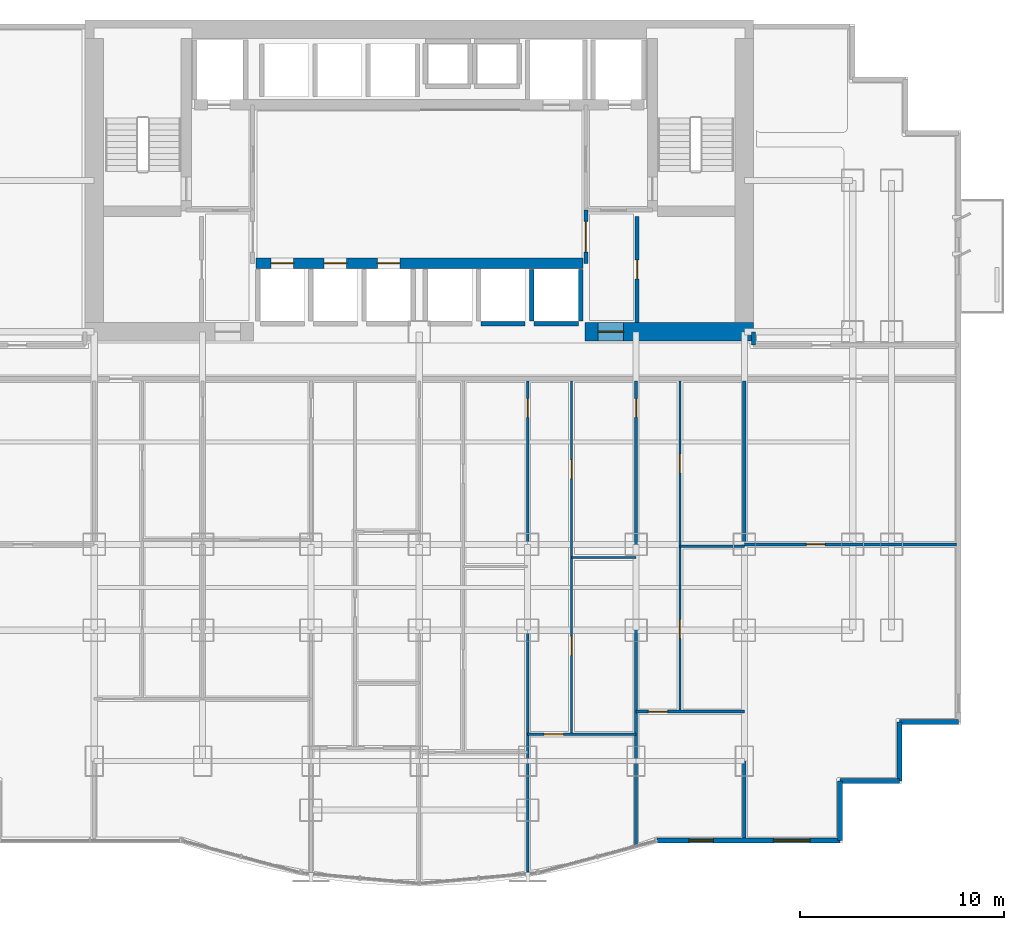
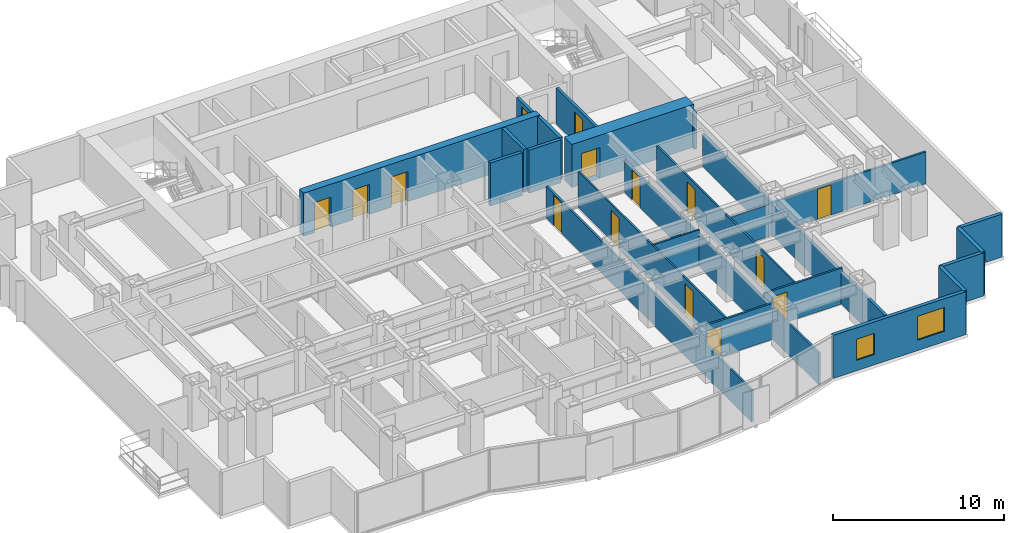
# One storey, part 6 of 10: 24 walls, 15 doors, 2 windows, 17 openings.
"""IFC4 building model written with IfcOpenShell, lengths in metres."""

from ifc_helpers import new_model, si_unit, direction, frame, frame_2d, origin, place, context, subcontext, project, spatial, rectangle, extrude, material, layer, layer_set, type_object, element, fill, save


model = new_model("IFC4")

# Units and contexts
model_context = context("Model", 3, precision=1e-05, world=origin(), true_north=direction((0.0, 1.0)))
body_context = subcontext(model_context, "Body", "Model", "MODEL_VIEW")
ifc_project = project(units=[si_unit("LENGTHUNIT", "METRE"), si_unit("AREAUNIT", "SQUARE_METRE"), si_unit("VOLUMEUNIT", "CUBIC_METRE"), si_unit("PLANEANGLEUNIT", "RADIAN"), si_unit("MASSUNIT", "GRAM", prefix="KILO")], contexts=[model_context])

# Site, building, storey
site_placement = place(None, origin())
site = spatial("IfcSite", under=ifc_project, at=site_placement, CompositionType="ELEMENT")
building_placement = place(site_placement, origin())
building = spatial("IfcBuilding", under=site, at=building_placement, Name="Qianlan Lanfeng Residences", CompositionType="ELEMENT")
storey_placement = place(building_placement, frame((0.0, 0.0, 57.199951171875)))
storey = spatial("IfcBuildingStorey", under=building, at=storey_placement, Name="L15", CompositionType="ELEMENT", Elevation=57.199951171875)

# Wall, openings, doors
ifc_material_1 = material(Name="Concrete C70", Category="concrete")
ifc_layer_1 = layer(ifc_material_1, 0.5)
ifc_layer_set_1 = layer_set([ifc_layer_1], Name="Concrete C70")
wall_type_1 = type_object("IfcWallType", Name="CW-RC-500", PredefinedType="SHEAR", material=ifc_layer_set_1)
wall_1_placement = place(storey_placement, frame((18.5, 28.550048828125, 0.0), z_axis=(0.0, 0.0, 1.0), x_axis=(1.0, 0.0, 0.0)))
wall_1 = element("IfcWall", 1, at=wall_1_placement, inside=storey, type_object=wall_type_1, Name="L15 Core Shear Wall LBS", PredefinedType="SHEAR", context=body_context, shape_type="SweptSolid", body=[
    extrude(rectangle(XDim=16.0, YDim=0.5, at=frame_2d((8.0, 0.0))), origin(), (0.0, 0.0, 1.0), 3.080078125),
])
opening_1_placement = place(wall_1_placement, frame((0.75, 0.0, 0.0)))
opening_1 = element("IfcOpeningElement", 2, at=opening_1_placement, cuts=wall_1, Name="Opening L15-LD-PL-L1", PredefinedType="OPENING", context=body_context, shape_type="SweptSolid", body=[
    extrude(rectangle(XDim=1.10009765625, YDim=2.14990234375, at=frame_2d((0.550048828125, 1.074951171875))), frame((0.0, 0.260009765625, 0.0), z_axis=(0.0, -1.0, 0.0), x_axis=(1.0, 0.0, 0.0)), (0.0, 0.0, 1.0), 0.52001953125),
])
opening_2_placement = place(wall_1_placement, frame((3.35009765625, 0.0, 0.0)))
opening_2 = element("IfcOpeningElement", 3, at=opening_2_placement, cuts=wall_1, Name="Opening L15-LD-PL-L2", PredefinedType="OPENING", context=body_context, shape_type="SweptSolid", body=[
    extrude(rectangle(XDim=1.10009765625, YDim=2.14990234375, at=frame_2d((0.550048828125, 1.074951171875))), frame((0.0, 0.260009765625, 0.0), z_axis=(0.0, -1.0, 0.0), x_axis=(1.0, 0.0, 0.0)), (0.0, 0.0, 1.0), 0.52001953125),
])
opening_3_placement = place(wall_1_placement, frame((5.949951171875, 0.0, 0.0)))
opening_3 = element("IfcOpeningElement", 4, at=opening_3_placement, cuts=wall_1, Name="Opening L15-LD-PL-L3", PredefinedType="OPENING", context=body_context, shape_type="SweptSolid", body=[
    extrude(rectangle(XDim=1.10009765625, YDim=2.14990234375, at=frame_2d((0.550048828125, 1.074951171875))), frame((0.0, 0.260009765625, 0.0), z_axis=(0.0, -1.0, 0.0), x_axis=(1.0, 0.0, 0.0)), (0.0, 0.0, 1.0), 0.52001953125),
])
ifc_material_2 = material(Name="Brushed Stainless Steel Sliding Lift Door", Category="steel")
door_type_1 = type_object("IfcDoorType", Name="LD-01", OperationType="NOTDEFINED", PredefinedType="DOOR", material=ifc_material_2)
door_1_placement = place(opening_1_placement, origin())
door_1 = element("IfcDoor", 5, at=door_1_placement, inside=storey, type_object=door_type_1, Name="L15 Elevator PL-L1 Sliding Landing Door", OperationType="DOUBLE_DOOR_SLIDING", OverallHeight=2.14990234375, OverallWidth=1.10009765625, PredefinedType="DOOR", context=body_context, shape_type="SweptSolid", body=[
    extrude(rectangle(XDim=1.10009765625, YDim=2.14990234375, at=frame_2d((0.550048828125, 1.074951171875))), frame((0.0, 0.02490234375, 0.0), z_axis=(0.0, -1.0, 0.0), x_axis=(1.0, 0.0, 0.0)), (0.0, 0.0, 1.0), 0.050048828125),
])
fill(opening_1, door_1)
door_2_placement = place(opening_2_placement, origin())
door_2 = element("IfcDoor", 6, at=door_2_placement, inside=storey, type_object=door_type_1, Name="L15 Elevator PL-L2 Sliding Landing Door", OperationType="DOUBLE_DOOR_SLIDING", OverallHeight=2.14990234375, OverallWidth=1.10009765625, PredefinedType="DOOR", context=body_context, shape_type="SweptSolid", body=[
    extrude(rectangle(XDim=1.10009765625, YDim=2.14990234375, at=frame_2d((0.550048828125, 1.074951171875))), frame((0.0, 0.02490234375, 0.0), z_axis=(0.0, -1.0, 0.0), x_axis=(1.0, 0.0, 0.0)), (0.0, 0.0, 1.0), 0.050048828125),
])
fill(opening_2, door_2)
door_3_placement = place(opening_3_placement, origin())
door_3 = element("IfcDoor", 7, at=door_3_placement, inside=storey, type_object=door_type_1, Name="L15 Elevator PL-L3 Sliding Landing Door", OperationType="DOUBLE_DOOR_SLIDING", OverallHeight=2.14990234375, OverallWidth=1.10009765625, PredefinedType="DOOR", context=body_context, shape_type="SweptSolid", body=[
    extrude(rectangle(XDim=1.10009765625, YDim=2.14990234375, at=frame_2d((0.550048828125, 1.074951171875))), frame((0.0, 0.02490234375, 0.0), z_axis=(0.0, -1.0, 0.0), x_axis=(1.0, 0.0, 0.0)), (0.0, 0.0, 1.0), 0.050048828125),
])
fill(opening_3, door_3)

# Wall, opening, door
ifc_layer_2 = layer(ifc_material_1, 0.89990234375)
ifc_layer_set_2 = layer_set([ifc_layer_2], Name="Concrete C70")
wall_type_2 = type_object("IfcWallType", Name="CW-RC-900", PredefinedType="SHEAR", material=ifc_layer_set_2)
wall_2_placement = place(storey_placement, frame((34.60009765625, 25.199951171875, 0.0), z_axis=(0.0, 0.0, 1.0), x_axis=(1.0, 0.0, 0.0)))
wall_2 = element("IfcWall", 8, at=wall_2_placement, inside=storey, type_object=wall_type_2, Name="L15 Core Shear Wall SE", PredefinedType="SHEAR", context=body_context, shape_type="SweptSolid", body=[
    extrude(rectangle(XDim=8.25, YDim=0.89990234375, at=frame_2d((4.125, 0.0))), origin(), (0.0, 0.0, 1.0), 3.080078125),
])
opening_4_placement = place(wall_2_placement, frame((0.64990234375, 0.0, 0.0)))
opening_4 = element("IfcOpeningElement", 9, at=opening_4_placement, cuts=wall_2, Name="Opening L15-D02", PredefinedType="OPENING", context=body_context, shape_type="SweptSolid", body=[
    extrude(rectangle(XDim=1.25, YDim=2.199951171875, at=frame_2d((0.625, 1.10009765625))), frame((0.0, 0.4599609375, 0.0), z_axis=(0.0, -1.0, 0.0), x_axis=(1.0, 0.0, 0.0)), (0.0, 0.0, 1.0), 0.919921875),
])
ifc_material_3 = material(Name="Painted Galvanised Steel Fire Door", Category="steel")
door_type_2 = type_object("IfcDoorType", Name="DT-FFL", OperationType="NOTDEFINED", PredefinedType="DOOR", material=ifc_material_3)
door_4_placement = place(opening_4_placement, frame((1.25, 0.0, 0.0), z_axis=(0.0, 0.0, 1.0), x_axis=(-1.0, 0.0, 0.0)))
door_4 = element("IfcDoor", 10, at=door_4_placement, inside=storey, type_object=door_type_2, Name="L15 East Core Lobby Smoke Door L15-D02 (DT-FFL)", OperationType="SINGLE_SWING_LEFT", OverallHeight=2.199951171875, OverallWidth=1.25, PredefinedType="DOOR", context=body_context, shape_type="SweptSolid", body=[
    extrude(rectangle(XDim=1.25, YDim=2.199951171875, at=frame_2d((0.625, 1.10009765625))), frame((0.0, 0.02490234375, 0.0), z_axis=(0.0, -1.0, 0.0), x_axis=(1.0, 0.0, 0.0)), (0.0, 0.0, 1.0), 0.050048828125),
])
fill(opening_4, door_4)

# Wall, openings, windows
ifc_material_4 = material(Name="Concrete C42", Category="concrete")
ifc_layer_3 = layer(ifc_material_4, 0.239990234375)
ifc_layer_set_3 = layer_set([ifc_layer_3], Name="Concrete C42")
wall_type_3 = type_object("IfcWallType", Name="EW-240", PredefinedType="SOLIDWALL", material=ifc_layer_set_3)
wall_3_placement = place(storey_placement, frame((38.1298828125, 0.320068359375, 0.0), z_axis=(0.0, 0.0, 1.0), x_axis=(1.0, 0.0, 0.0)))
wall_3 = element("IfcWall", 11, at=wall_3_placement, inside=storey, type_object=wall_type_3, Name="L15 Exterior Facade Spandrel Wall 5", PredefinedType="SOLIDWALL", context=body_context, shape_type="SweptSolid", body=[
    extrude(rectangle(XDim=8.9501953125, YDim=0.239990234375, at=frame_2d((4.47509765625, 0.0))), origin(), (0.0, 0.0, 1.0), 3.080078125),
])
opening_5_placement = place(wall_3_placement, frame((5.68505859375, 0.0, 0.75)))
opening_5 = element("IfcOpeningElement", 12, at=opening_5_placement, cuts=wall_3, Name="Opening W-01", PredefinedType="OPENING", context=body_context, shape_type="SweptSolid", body=[
    extrude(rectangle(XDim=1.800048828125, YDim=1.699951171875, at=frame_2d((0.89990234375, 0.85009765625))), frame((0.0, 0.1298828125, 0.0), z_axis=(0.0, -1.0, 0.0), x_axis=(1.0, 0.0, 0.0)), (0.0, 0.0, 1.0), 0.260009765625),
])
opening_6_placement = place(wall_3_placement, frame((1.56005859375, 0.0, 0.75)))
opening_6 = element("IfcOpeningElement", 13, at=opening_6_placement, cuts=wall_3, Name="Opening W-03", PredefinedType="OPENING", context=body_context, shape_type="SweptSolid", body=[
    extrude(rectangle(XDim=1.199951171875, YDim=1.5, at=frame_2d((0.60009765625, 0.75))), frame((0.0, 0.1298828125, 0.0), z_axis=(0.0, -1.0, 0.0), x_axis=(1.0, 0.0, 0.0)), (0.0, 0.0, 1.0), 0.260009765625),
])
ifc_material_5 = material(Name="Anodised Bronze Aluminium Framed Double Glazing", Category="aluminium")
window_type_1 = type_object("IfcWindowType", Name="W-01", PartitioningType="SINGLE_PANEL", PredefinedType="WINDOW", material=ifc_material_5)
window_1_placement = place(opening_5_placement, origin())
window_1 = element("IfcWindow", 14, at=window_1_placement, inside=storey, type_object=window_type_1, Name="L15 Facade Punched Window W-01", OverallHeight=1.699951171875, OverallWidth=1.800048828125, PartitioningType="SINGLE_PANEL", PredefinedType="WINDOW", context=body_context, shape_type="SweptSolid", body=[
    extrude(rectangle(XDim=1.800048828125, YDim=1.699951171875, at=frame_2d((0.89990234375, 0.85009765625))), frame((0.0, 0.030029296875, 0.0), z_axis=(0.0, -1.0, 0.0), x_axis=(1.0, 0.0, 0.0)), (0.0, 0.0, 1.0), 0.06005859375),
])
fill(opening_5, window_1)
window_type_2 = type_object("IfcWindowType", Name="W-03", PartitioningType="SINGLE_PANEL", PredefinedType="WINDOW", material=ifc_material_5)
window_2_placement = place(opening_6_placement, origin())
window_2 = element("IfcWindow", 15, at=window_2_placement, inside=storey, type_object=window_type_2, Name="L15 Facade Bay Window W-03", OverallHeight=1.5, OverallWidth=1.199951171875, PartitioningType="SINGLE_PANEL", PredefinedType="WINDOW", context=body_context, shape_type="SweptSolid", body=[
    extrude(rectangle(XDim=1.199951171875, YDim=1.5, at=frame_2d((0.60009765625, 0.75))), frame((0.0, 0.030029296875, 0.0), z_axis=(0.0, -1.0, 0.0), x_axis=(1.0, 0.0, 0.0)), (0.0, 0.0, 1.0), 0.06005859375),
])
fill(opening_6, window_2)

# Walls
for number, where, z_axis, x_axis, name in (
    (16, (47.080078125, 0.320068359375, 0.0), (0.0, 0.0, 1.0), (0.0, 1.0, 0.0), "L15 Exterior Facade Spandrel Wall 6"),
    (17, (47.080078125, 3.219970703125, 0.0), (0.0, 0.0, 1.0), (1.0, 0.0, 0.0), "L15 Exterior Facade Spandrel Wall 7"),
):
    element("IfcWall", number, at=place(storey_placement, frame(where, z_axis=z_axis, x_axis=x_axis)), inside=storey, type_object=wall_type_3, Name=name, PredefinedType="SOLIDWALL", context=body_context, shape_type="SweptSolid", body=[
        extrude(rectangle(XDim=2.89990234375, YDim=0.239990234375, at=frame_2d((1.449951171875, 0.0))), origin(), (0.0, 0.0, 1.0), 3.080078125),
    ])
wall_4_placement = place(storey_placement, frame((49.97998046875, 3.219970703125, 0.0), z_axis=(0.0, 0.0, 1.0), x_axis=(0.0, 1.0, 0.0)))
element("IfcWall", 18, at=wall_4_placement, inside=storey, type_object=wall_type_3, Name="L15 Exterior Facade Spandrel Wall 8", PredefinedType="SOLIDWALL", context=body_context, shape_type="SweptSolid", body=[
    extrude(rectangle(XDim=2.900146484375, YDim=0.239990234375, at=frame_2d((1.4501953125, 0.0))), origin(), (0.0, 0.0, 1.0), 3.080078125),
])
wall_5_placement = place(storey_placement, frame((49.97998046875, 6.1201171875, 0.0), z_axis=(0.0, 0.0, 1.0), x_axis=(1.0, 0.0, 0.0)))
element("IfcWall", 19, at=wall_5_placement, inside=storey, type_object=wall_type_3, Name="L15 Exterior Facade Spandrel Wall 9", PredefinedType="SOLIDWALL", context=body_context, shape_type="SweptSolid", body=[
    extrude(rectangle(XDim=2.89990234375, YDim=0.239990234375, at=frame_2d((1.449951171875, 0.0))), origin(), (0.0, 0.0, 1.0), 3.080078125),
])

# Wall, openings, doors
ifc_material_6 = material(Name="Demountable Acoustic Framing Partition 110 mm")
ifc_layer_4 = layer(ifc_material_6, 0.110107421875)
ifc_layer_set_4 = layer_set([ifc_layer_4], Name="Demountable Acoustic Framing Partition 110 mm")
wall_type_4 = type_object("IfcWallType", Name="PW-110", PredefinedType="MOVABLE", material=ifc_layer_set_4)
wall_6_placement = place(storey_placement, frame((33.949951171875, 5.512939453125, 0.0), z_axis=(0.0, 0.0, 1.0), x_axis=(0.0, 1.0, 0.0)))
wall_6 = element("IfcWall", 20, at=wall_6_placement, inside=storey, type_object=wall_type_4, Name="L15 U01 Bedroom 4 Hall Wall", PredefinedType="MOVABLE", context=body_context, shape_type="SweptSolid", body=[
    extrude(rectangle(XDim=17.287109375, YDim=0.110107421875, at=frame_2d((8.6435546875, 0.0))), origin(), (0.0, 0.0, 1.0), 2.570068359375),
])
opening_7_placement = place(wall_6_placement, frame((3.862060546875, 0.0, 0.0)))
opening_7 = element("IfcOpeningElement", 21, at=opening_7_placement, cuts=wall_6, Name="Opening L15-D31", PredefinedType="OPENING", context=body_context, shape_type="SweptSolid", body=[
    extrude(rectangle(XDim=0.919921875, YDim=2.14990234375, at=frame_2d((0.4599609375, 1.074951171875))), frame((0.0, 0.06494140625, 0.0), z_axis=(0.0, -1.0, 0.0), x_axis=(1.0, 0.0, 0.0)), (0.0, 0.0, 1.0), 0.130126953125),
])
opening_8_placement = place(wall_6_placement, frame((12.5048828125, 0.0, 0.0)))
opening_8 = element("IfcOpeningElement", 22, at=opening_8_placement, cuts=wall_6, Name="Opening L15-D32", PredefinedType="OPENING", context=body_context, shape_type="SweptSolid", body=[
    extrude(rectangle(XDim=0.919921875, YDim=2.14990234375, at=frame_2d((0.4599609375, 1.074951171875))), frame((0.0, 0.06494140625, 0.0), z_axis=(0.0, -1.0, 0.0), x_axis=(1.0, 0.0, 0.0)), (0.0, 0.0, 1.0), 0.130126953125),
])
ifc_material_7 = material(Name="Glazed Timber Kitchen/Study Door", Category="wood")
door_type_3 = type_object("IfcDoorType", Name="DT-INT", OperationType="NOTDEFINED", PredefinedType="DOOR", material=ifc_material_7)
door_5_placement = place(opening_7_placement, origin())
door_5 = element("IfcDoor", 23, at=door_5_placement, inside=storey, type_object=door_type_3, Name="L15 U01 Utility Door L15-D31 (DT-INT)", OperationType="SINGLE_SWING_RIGHT", OverallHeight=2.14990234375, OverallWidth=0.919921875, PredefinedType="DOOR", context=body_context, shape_type="SweptSolid", body=[
    extrude(rectangle(XDim=0.919921875, YDim=2.14990234375, at=frame_2d((0.4599609375, 1.074951171875))), frame((0.0, 0.02490234375, 0.0), z_axis=(0.0, -1.0, 0.0), x_axis=(1.0, 0.0, 0.0)), (0.0, 0.0, 1.0), 0.050048828125),
])
fill(opening_7, door_5)
door_6_placement = place(opening_8_placement, origin())
door_6 = element("IfcDoor", 24, at=door_6_placement, inside=storey, type_object=door_type_3, Name="L15 U01 Specialty Door L15-D32 (DT-INT)", OperationType="SINGLE_SWING_LEFT", OverallHeight=2.14990234375, OverallWidth=0.919921875, PredefinedType="DOOR", context=body_context, shape_type="SweptSolid", body=[
    extrude(rectangle(XDim=0.919921875, YDim=2.14990234375, at=frame_2d((0.4599609375, 1.074951171875))), frame((0.0, 0.02490234375, 0.0), z_axis=(0.0, -1.0, 0.0), x_axis=(1.0, 0.0, 0.0)), (0.0, 0.0, 1.0), 0.050048828125),
])
fill(opening_8, door_6)

# Wall
wall_7_placement = place(storey_placement, frame((33.949951171875, 14.156982421875, 0.0), z_axis=(0.0, 0.0, 1.0), x_axis=(1.0, 0.0, 0.0)))
element("IfcWall", 25, at=wall_7_placement, inside=storey, type_object=wall_type_4, Name="L15 U01 Specialty Split Wall", PredefinedType="MOVABLE", context=body_context, shape_type="SweptSolid", body=[
    extrude(rectangle(XDim=3.150146484375, YDim=0.110107421875, at=frame_2d((1.5751953125, 0.0))), origin(), (0.0, 0.0, 1.0), 2.570068359375),
])

# Wall, openings, doors
wall_8_placement = place(storey_placement, frame((39.25, 6.6201171875, 0.0), z_axis=(0.0, 0.0, 1.0), x_axis=(0.0, 1.0, 0.0)))
wall_8 = element("IfcWall", 26, at=wall_8_placement, inside=storey, type_object=wall_type_4, Name="L15 U01 Bedroom 5 Hall Wall", PredefinedType="MOVABLE", context=body_context, shape_type="SweptSolid", body=[
    extrude(rectangle(XDim=16.179931640625, YDim=0.110107421875, at=frame_2d((8.08984375, 0.0))), origin(), (0.0, 0.0, 1.0), 2.570068359375),
])
opening_9_placement = place(wall_8_placement, frame((3.5849609375, 0.0, 0.0)))
opening_9 = element("IfcOpeningElement", 27, at=opening_9_placement, cuts=wall_8, Name="Opening L15-D34", PredefinedType="OPENING", context=body_context, shape_type="SweptSolid", body=[
    extrude(rectangle(XDim=0.919921875, YDim=2.14990234375, at=frame_2d((0.4599609375, 1.074951171875))), frame((0.0, 0.06494140625, 0.0), z_axis=(0.0, -1.0, 0.0), x_axis=(1.0, 0.0, 0.0)), (0.0, 0.0, 1.0), 0.130126953125),
])
opening_10_placement = place(wall_8_placement, frame((11.675048828125, 0.0, 0.0)))
opening_10 = element("IfcOpeningElement", 28, at=opening_10_placement, cuts=wall_8, Name="Opening L15-D35", PredefinedType="OPENING", context=body_context, shape_type="SweptSolid", body=[
    extrude(rectangle(XDim=0.919921875, YDim=2.14990234375, at=frame_2d((0.4599609375, 1.074951171875))), frame((0.0, 0.06494140625, 0.0), z_axis=(0.0, -1.0, 0.0), x_axis=(1.0, 0.0, 0.0)), (0.0, 0.0, 1.0), 0.130126953125),
])
door_7_placement = place(opening_9_placement, origin())
door_7 = element("IfcDoor", 29, at=door_7_placement, inside=storey, type_object=door_type_3, Name="L15 U01 Utility Door L15-D34 (DT-INT)", OperationType="SINGLE_SWING_LEFT", OverallHeight=2.14990234375, OverallWidth=0.919921875, PredefinedType="DOOR", context=body_context, shape_type="SweptSolid", body=[
    extrude(rectangle(XDim=0.919921875, YDim=2.14990234375, at=frame_2d((0.4599609375, 1.074951171875))), frame((0.0, 0.02490234375, 0.0), z_axis=(0.0, -1.0, 0.0), x_axis=(1.0, 0.0, 0.0)), (0.0, 0.0, 1.0), 0.050048828125),
])
fill(opening_9, door_7)
door_8_placement = place(opening_10_placement, origin())
door_8 = element("IfcDoor", 30, at=door_8_placement, inside=storey, type_object=door_type_3, Name="L15 U01 Specialty Door L15-D35 (DT-INT)", OperationType="SINGLE_SWING_RIGHT", OverallHeight=2.14990234375, OverallWidth=0.919921875, PredefinedType="DOOR", context=body_context, shape_type="SweptSolid", body=[
    extrude(rectangle(XDim=0.919921875, YDim=2.14990234375, at=frame_2d((0.4599609375, 1.074951171875))), frame((0.0, 0.02490234375, 0.0), z_axis=(0.0, -1.0, 0.0), x_axis=(1.0, 0.0, 0.0)), (0.0, 0.0, 1.0), 0.050048828125),
])
fill(opening_10, door_8)

# Wall
wall_9_placement = place(storey_placement, frame((39.25, 14.7099609375, 0.0), z_axis=(0.0, 0.0, 1.0), x_axis=(1.0, 0.0, 0.0)))
element("IfcWall", 31, at=wall_9_placement, inside=storey, type_object=wall_type_4, Name="L15 U01 Specialty Split Wall", PredefinedType="MOVABLE", context=body_context, shape_type="SweptSolid", body=[
    extrude(rectangle(XDim=3.14990234375, YDim=0.110107421875, at=frame_2d((1.574951171875, 0.0))), origin(), (0.0, 0.0, 1.0), 2.275146484375),
])

# Wall, opening, door
ifc_material_8 = material(Name="Moisture-Resistant Gypsum Partition 135 mm")
ifc_layer_5 = layer(ifc_material_8, 0.135009765625)
ifc_layer_set_5 = layer_set([ifc_layer_5], Name="Moisture-Resistant Gypsum Partition 135 mm")
wall_type_5 = type_object("IfcWallType", Name="PW-135", PredefinedType="PARTITIONING", material=ifc_layer_set_5)
wall_10_placement = place(storey_placement, frame((31.800048828125, -1.235107421875, 0.0), z_axis=(0.0, 0.0, 1.0), x_axis=(0.0, 1.0, 0.0)))
wall_10 = element("IfcWall", 32, at=wall_10_placement, inside=storey, type_object=wall_type_5, Name="L15 U01 Bay Spine Wall 4", PredefinedType="PARTITIONING", context=body_context, shape_type="SweptSolid", body=[
    extrude(rectangle(XDim=24.03515625, YDim=0.135009765625, at=frame_2d((12.017578125, 0.0))), origin(), (0.0, 0.0, 1.0), 2.275146484375),
])
opening_11_placement = place(wall_10_placement, frame((22.25, 0.0, 0.0)))
opening_11 = element("IfcOpeningElement", 33, at=opening_11_placement, cuts=wall_10, Name="Opening L15-D17", PredefinedType="OPENING", context=body_context, shape_type="SweptSolid", body=[
    extrude(rectangle(XDim=0.919921875, YDim=2.14990234375, at=frame_2d((0.4599609375, 1.074951171875))), frame((0.0, 0.07763671875, 0.0), z_axis=(0.0, -1.0, 0.0), x_axis=(1.0, 0.0, 0.0)), (0.0, 0.0, 1.0), 0.155029296875),
])
door_9_placement = place(opening_11_placement, origin())
door_9 = element("IfcDoor", 34, at=door_9_placement, inside=storey, type_object=door_type_3, Name="L15 U01 Internal Hall Door L15-D17 (DT-INT)", OperationType="SINGLE_SWING_RIGHT", OverallHeight=2.14990234375, OverallWidth=0.919921875, PredefinedType="DOOR", context=body_context, shape_type="SweptSolid", body=[
    extrude(rectangle(XDim=0.919921875, YDim=2.14990234375, at=frame_2d((0.4599609375, 1.074951171875))), frame((0.0, 0.02490234375, 0.0), z_axis=(0.0, -1.0, 0.0), x_axis=(1.0, 0.0, 0.0)), (0.0, 0.0, 1.0), 0.050048828125),
])
fill(opening_11, door_9)

wall_11_placement = place(storey_placement, frame((37.10009765625, 0.076904296875, 0.0), z_axis=(0.0, 0.0, 1.0), x_axis=(0.0, 1.0, 0.0)))
wall_11 = element("IfcWall", 35, at=wall_11_placement, inside=storey, type_object=wall_type_5, Name="L15 U01 Bay Spine Wall 5", PredefinedType="PARTITIONING", context=body_context, shape_type="SweptSolid", body=[
    extrude(rectangle(XDim=22.72314453125, YDim=0.135009765625, at=frame_2d((11.361572265625, 0.0))), origin(), (0.0, 0.0, 1.0), 2.275146484375),
])
opening_12_placement = place(wall_11_placement, frame((20.93798828125, 0.0, 0.0)))
opening_12 = element("IfcOpeningElement", 36, at=opening_12_placement, cuts=wall_11, Name="Opening L15-D18", PredefinedType="OPENING", context=body_context, shape_type="SweptSolid", body=[
    extrude(rectangle(XDim=0.919921875, YDim=2.14990234375, at=frame_2d((0.4599609375, 1.074951171875))), frame((0.0, 0.07763671875, 0.0), z_axis=(0.0, -1.0, 0.0), x_axis=(1.0, 0.0, 0.0)), (0.0, 0.0, 1.0), 0.155029296875),
])
door_10_placement = place(opening_12_placement, origin())
door_10 = element("IfcDoor", 37, at=door_10_placement, inside=storey, type_object=door_type_3, Name="L15 U01 Internal Hall Door L15-D18 (DT-INT)", OperationType="SINGLE_SWING_LEFT", OverallHeight=2.14990234375, OverallWidth=0.919921875, PredefinedType="DOOR", context=body_context, shape_type="SweptSolid", body=[
    extrude(rectangle(XDim=0.919921875, YDim=2.14990234375, at=frame_2d((0.4599609375, 1.074951171875))), frame((0.0, 0.02490234375, 0.0), z_axis=(0.0, -1.0, 0.0), x_axis=(1.0, 0.0, 0.0)), (0.0, 0.0, 1.0), 0.050048828125),
])
fill(opening_12, door_10)

wall_12_placement = place(storey_placement, frame((31.800048828125, 5.512939453125, 0.0), z_axis=(0.0, 0.0, 1.0), x_axis=(1.0, 0.0, 0.0)))
wall_12 = element("IfcWall", 38, at=wall_12_placement, inside=storey, type_object=wall_type_5, Name="L15 U01 Bedroom 4 North Wall", PredefinedType="PARTITIONING", context=body_context, shape_type="SweptSolid", body=[
    extrude(rectangle(XDim=5.300048828125, YDim=0.135009765625, at=frame_2d((2.64990234375, 0.0))), origin(), (0.0, 0.0, 1.0), 2.570068359375),
])
opening_13_placement = place(wall_12_placement, frame((0.800048828125, 0.0, 0.0)))
opening_13 = element("IfcOpeningElement", 39, at=opening_13_placement, cuts=wall_12, Name="Opening L15-D30", PredefinedType="OPENING", context=body_context, shape_type="SweptSolid", body=[
    extrude(rectangle(XDim=0.949951171875, YDim=2.14990234375, at=frame_2d((0.47509765625, 1.074951171875))), frame((0.0, 0.07763671875, 0.0), z_axis=(0.0, -1.0, 0.0), x_axis=(1.0, 0.0, 0.0)), (0.0, 0.0, 1.0), 0.155029296875),
])
ifc_material_9 = material(Name="Painted Solid-Core Timber Leaf", Category="wood")
door_type_4 = type_object("IfcDoorType", Name="DT-BED", OperationType="NOTDEFINED", PredefinedType="DOOR", material=ifc_material_9)
door_11_placement = place(opening_13_placement, origin())
door_11 = element("IfcDoor", 40, at=door_11_placement, inside=storey, type_object=door_type_4, Name="L15 U01 Bedroom 4 Door L15-D30 (DT-BED)", OperationType="SINGLE_SWING_LEFT", OverallHeight=2.14990234375, OverallWidth=0.949951171875, PredefinedType="DOOR", context=body_context, shape_type="SweptSolid", body=[
    extrude(rectangle(XDim=0.949951171875, YDim=2.14990234375, at=frame_2d((0.47509765625, 1.074951171875))), frame((0.0, 0.02490234375, 0.0), z_axis=(0.0, -1.0, 0.0), x_axis=(1.0, 0.0, 0.0)), (0.0, 0.0, 1.0), 0.050048828125),
])
fill(opening_13, door_11)

wall_13_placement = place(storey_placement, frame((37.10009765625, 6.6201171875, 0.0), z_axis=(0.0, 0.0, 1.0), x_axis=(1.0, 0.0, 0.0)))
wall_13 = element("IfcWall", 41, at=wall_13_placement, inside=storey, type_object=wall_type_5, Name="L15 U01 Bedroom 5 North Wall", PredefinedType="PARTITIONING", context=body_context, shape_type="SweptSolid", body=[
    extrude(rectangle(XDim=5.2998046875, YDim=0.135009765625, at=frame_2d((2.64990234375, 0.0))), origin(), (0.0, 0.0, 1.0), 2.570068359375),
])
opening_14_placement = place(wall_13_placement, frame((0.60009765625, 0.0, 0.0)))
opening_14 = element("IfcOpeningElement", 42, at=opening_14_placement, cuts=wall_13, Name="Opening L15-D33", PredefinedType="OPENING", context=body_context, shape_type="SweptSolid", body=[
    extrude(rectangle(XDim=0.949951171875, YDim=2.14990234375, at=frame_2d((0.47509765625, 1.074951171875))), frame((0.0, 0.07763671875, 0.0), z_axis=(0.0, -1.0, 0.0), x_axis=(1.0, 0.0, 0.0)), (0.0, 0.0, 1.0), 0.155029296875),
])
door_12_placement = place(opening_14_placement, frame((0.949951171875, 0.0, 0.0), z_axis=(0.0, 0.0, 1.0), x_axis=(-1.0, 0.0, 0.0)))
door_12 = element("IfcDoor", 43, at=door_12_placement, inside=storey, type_object=door_type_4, Name="L15 U01 Bedroom 5 Door L15-D33 (DT-BED)", OperationType="SINGLE_SWING_RIGHT", OverallHeight=2.14990234375, OverallWidth=0.949951171875, PredefinedType="DOOR", context=body_context, shape_type="SweptSolid", body=[
    extrude(rectangle(XDim=0.949951171875, YDim=2.14990234375, at=frame_2d((0.47509765625, 1.074951171875))), frame((0.0, 0.02490234375, 0.0), z_axis=(0.0, -1.0, 0.0), x_axis=(1.0, 0.0, 0.0)), (0.0, 0.0, 1.0), 0.050048828125),
])
fill(opening_14, door_12)

wall_14_placement = place(storey_placement, frame((42.39990234375, 14.800048828125, 0.0), z_axis=(0.0, 0.0, 1.0), x_axis=(1.0, 0.0, 0.0)))
wall_14 = element("IfcWall", 44, at=wall_14_placement, inside=storey, type_object=wall_type_5, Name="L15 SEP Mid Partition", PredefinedType="PARTITIONING", context=body_context, shape_type="SweptSolid", body=[
    extrude(rectangle(XDim=10.380126953125, YDim=0.135009765625, at=frame_2d((5.18994140625, 0.0))), origin(), (0.0, 0.0, 1.0), 2.275146484375),
])
opening_15_placement = place(wall_14_placement, frame((3.030029296875, 0.0, 0.0)))
opening_15 = element("IfcOpeningElement", 45, at=opening_15_placement, cuts=wall_14, Name="Opening L15-D38", PredefinedType="OPENING", context=body_context, shape_type="SweptSolid", body=[
    extrude(rectangle(XDim=0.919921875, YDim=2.14990234375, at=frame_2d((0.4599609375, 1.074951171875))), frame((0.0, 0.07763671875, 0.0), z_axis=(0.0, -1.0, 0.0), x_axis=(1.0, 0.0, 0.0)), (0.0, 0.0, 1.0), 0.155029296875),
])
door_13_placement = place(opening_15_placement, origin())
door_13 = element("IfcDoor", 46, at=door_13_placement, inside=storey, type_object=door_type_3, Name="L15 SEP Inner Door L15-D38 (DT-INT)", OperationType="SINGLE_SWING_LEFT", OverallHeight=2.14990234375, OverallWidth=0.919921875, PredefinedType="DOOR", context=body_context, shape_type="SweptSolid", body=[
    extrude(rectangle(XDim=0.919921875, YDim=2.14990234375, at=frame_2d((0.4599609375, 1.074951171875))), frame((0.0, 0.02490234375, 0.0), z_axis=(0.0, -1.0, 0.0), x_axis=(1.0, 0.0, 0.0)), (0.0, 0.0, 1.0), 0.050048828125),
])
fill(opening_15, door_13)

ifc_material_10 = material(Name="Double-Layer Acoustic Gypsum Stud Wall 180 mm")
ifc_layer_6 = layer(ifc_material_10, 0.179931640625)
ifc_layer_set_6 = layer_set([ifc_layer_6], Name="Double-Layer Acoustic Gypsum Stud Wall 180 mm")
wall_type_6 = type_object("IfcWallType", Name="PW-180", PredefinedType="PARTITIONING", material=ifc_layer_set_6)
wall_15_placement = place(storey_placement, frame((37.14990234375, 25.64990234375, 0.0), z_axis=(0.0, 0.0, 1.0), x_axis=(0.0, 1.0, 0.0)))
wall_15 = element("IfcWall", 47, at=wall_15_placement, inside=storey, type_object=wall_type_6, Name="L15 Core East Service Room Wall", PredefinedType="PARTITIONING", context=body_context, shape_type="SweptSolid", body=[
    extrude(rectangle(XDim=5.2001953125, YDim=0.179931640625, at=frame_2d((2.60009765625, 0.0))), origin(), (0.0, 0.0, 1.0), 2.570068359375),
])
opening_16_placement = place(wall_15_placement, frame((2.139892578125, 0.0, 0.0)))
opening_16 = element("IfcOpeningElement", 48, at=opening_16_placement, cuts=wall_15, Name="Opening L15-D10", PredefinedType="OPENING", context=body_context, shape_type="SweptSolid", body=[
    extrude(rectangle(XDim=0.919921875, YDim=2.14990234375, at=frame_2d((0.4599609375, 1.074951171875))), frame((0.0, 0.10009765625, 0.0), z_axis=(0.0, -1.0, 0.0), x_axis=(1.0, 0.0, 0.0)), (0.0, 0.0, 1.0), 0.199951171875),
])
door_14_placement = place(opening_16_placement, origin())
door_14 = element("IfcDoor", 49, at=door_14_placement, inside=storey, type_object=door_type_3, Name="L15 Refuse Recycling Door L15-D10 (DT-INT)", OperationType="SINGLE_SWING_LEFT", OverallHeight=2.14990234375, OverallWidth=0.919921875, PredefinedType="DOOR", context=body_context, shape_type="SweptSolid", body=[
    extrude(rectangle(XDim=0.919921875, YDim=2.14990234375, at=frame_2d((0.4599609375, 1.074951171875))), frame((0.0, 0.02490234375, 0.0), z_axis=(0.0, -1.0, 0.0), x_axis=(1.0, 0.0, 0.0)), (0.0, 0.0, 1.0), 0.050048828125),
])
fill(opening_16, door_14)

# Wall
wall_16_placement = place(storey_placement, frame((42.39990234375, 0.419921875, 0.0), z_axis=(0.0, 0.0, 1.0), x_axis=(0.0, 1.0, 0.0)))
element("IfcWall", 50, at=wall_16_placement, inside=storey, type_object=wall_type_6, Name="L15 Wing Boundary Party Wall E0", PredefinedType="PARTITIONING", context=body_context, shape_type="SweptSolid", body=[
    extrude(rectangle(XDim=22.380126953125, YDim=0.179931640625, at=frame_2d((11.18994140625, 0.0))), origin(), (0.0, 0.0, 1.0), 2.275146484375),
])

# Wall, opening, door
ifc_material_11 = material(Name="Autoclaved Aerated Concrete Blockwork 200 mm", Category="masonry")
ifc_layer_7 = layer(ifc_material_11, 0.199951171875)
ifc_layer_set_7 = layer_set([ifc_layer_7], Name="Autoclaved Aerated Concrete Blockwork 200 mm")
wall_type_7 = type_object("IfcWallType", Name="PW-200", PredefinedType="PARTITIONING", material=ifc_layer_set_7)
wall_17_placement = place(storey_placement, frame((34.64990234375, 28.550048828125, 0.0), z_axis=(0.0, 0.0, 1.0), x_axis=(0.0, 1.0, 0.0)))
wall_17 = element("IfcWall", 51, at=wall_17_placement, inside=storey, type_object=wall_type_7, Name="L15 Lift Lobby East Connector Wall", PredefinedType="PARTITIONING", context=body_context, shape_type="SweptSolid", body=[
    extrude(rectangle(XDim=2.599853515625, YDim=0.199951171875, at=frame_2d((1.2998046875, 0.0))), origin(), (0.0, 0.0, 1.0), 2.570068359375),
])
opening_17_placement = place(wall_17_placement, frame((0.550048828125, 0.0, 0.0)))
opening_17 = element("IfcOpeningElement", 52, at=opening_17_placement, cuts=wall_17, Name="Opening L15-D12", PredefinedType="OPENING", context=body_context, shape_type="SweptSolid", body=[
    extrude(rectangle(XDim=1.5, YDim=2.25, at=frame_2d((0.75, 1.125))), frame((0.0, 0.10986328125, 0.0), z_axis=(0.0, -1.0, 0.0), x_axis=(1.0, 0.0, 0.0)), (0.0, 0.0, 1.0), 0.219970703125),
])
ifc_material_12 = material(Name="Timber Veneer Acoustic Fire Door", Category="wood")
door_type_5 = type_object("IfcDoorType", Name="DT-COR1", OperationType="NOTDEFINED", PredefinedType="DOOR", material=ifc_material_12)
door_15_placement = place(opening_17_placement, frame((1.5, 0.0, 0.0), z_axis=(0.0, 0.0, 1.0), x_axis=(-1.0, 0.0, 0.0)))
door_15 = element("IfcDoor", 53, at=door_15_placement, inside=storey, type_object=door_type_5, Name="L15 Lift Lobby East Portal Door L15-D12 (DT-COR1)", OperationType="DOUBLE_DOOR_SINGLE_SWING", OverallHeight=2.25, OverallWidth=1.5, PredefinedType="DOOR", context=body_context, shape_type="SweptSolid", body=[
    extrude(rectangle(XDim=1.5, YDim=2.25, at=frame_2d((0.75, 1.125))), frame((0.0, 0.02490234375, 0.0), z_axis=(0.0, -1.0, 0.0), x_axis=(1.0, 0.0, 0.0)), (0.0, 0.0, 1.0), 0.050048828125),
])
fill(opening_17, door_15)

# Walls
wall_18_placement = place(storey_placement, frame((42.85009765625, 24.550048828125, 0.0), z_axis=(0.0, 0.0, 1.0), x_axis=(0.0, 1.0, 0.0)))
element("IfcWall", 54, at=wall_18_placement, inside=storey, type_object=wall_type_7, Name="L15 NE Wing Core Return Wall", PredefinedType="PARTITIONING", context=body_context, shape_type="SweptSolid", body=[
    extrude(rectangle(XDim=0.64990234375, YDim=0.199951171875, at=frame_2d((0.324951171875, 0.0))), origin(), (0.0, 0.0, 1.0), 2.570068359375),
])
ifc_material_13 = material(Name="Concrete C49", Category="concrete")
ifc_layer_8 = layer(ifc_material_13, 0.219970703125)
ifc_layer_set_8 = layer_set([ifc_layer_8], Name="Concrete C49")
wall_type_8 = type_object("IfcWallType", Name="SHW-220", PredefinedType="SOLIDWALL", material=ifc_layer_set_8)
wall_19_placement = place(storey_placement, frame((29.52001953125, 25.60009765625, 0.0), z_axis=(0.0, 0.0, 1.0), x_axis=(1.0, 0.0, 0.0)))
element("IfcWall", 55, at=wall_19_placement, inside=storey, type_object=wall_type_8, Name="L15 Lift PL-M2 Shaft Back Wall S", PredefinedType="SOLIDWALL", context=body_context, shape_type="SweptSolid", body=[
    extrude(rectangle(XDim=2.159912109375, YDim=0.219970703125, at=frame_2d((1.080078125, 0.0))), origin(), (0.0, 0.0, 1.0), 3.080078125),
])
for number, where, z_axis, x_axis, name in (
    (56, (32.0, 25.719970703125, 0.0), (0.0, 0.0, 1.0), (0.0, 1.0, 0.0), "L15 Lift PL-M3 Shaft Wall W"),
    (57, (34.39990234375, 25.719970703125, 0.0), (0.0, 0.0, 1.0), (0.0, 1.0, 0.0), "L15 Lift PL-M3 Shaft Wall E"),
):
    element("IfcWall", number, at=place(storey_placement, frame(where, z_axis=z_axis, x_axis=x_axis)), inside=storey, type_object=wall_type_8, Name=name, PredefinedType="SOLIDWALL", context=body_context, shape_type="SweptSolid", body=[
        extrude(rectangle(XDim=2.530029296875, YDim=0.219970703125, at=frame_2d((1.26513671875, 0.0))), origin(), (0.0, 0.0, 1.0), 3.080078125),
    ])
wall_20_placement = place(storey_placement, frame((32.1201171875, 25.60009765625, 0.0), z_axis=(0.0, 0.0, 1.0), x_axis=(1.0, 0.0, 0.0)))
element("IfcWall", 58, at=wall_20_placement, inside=storey, type_object=wall_type_8, Name="L15 Lift PL-M3 Shaft Back Wall S", PredefinedType="SOLIDWALL", context=body_context, shape_type="SweptSolid", body=[
    extrude(rectangle(XDim=2.159912109375, YDim=0.219970703125, at=frame_2d((1.080078125, 0.0))), origin(), (0.0, 0.0, 1.0), 3.080078125),
])

save(model, "model.ifc")
